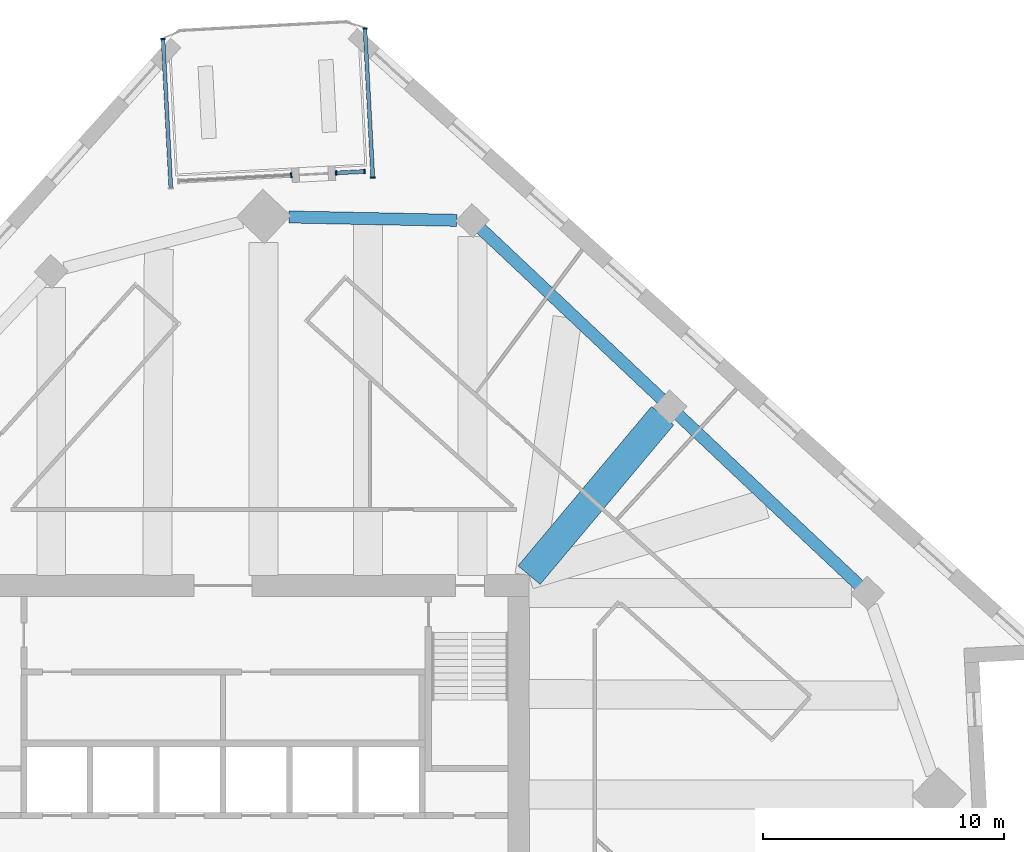
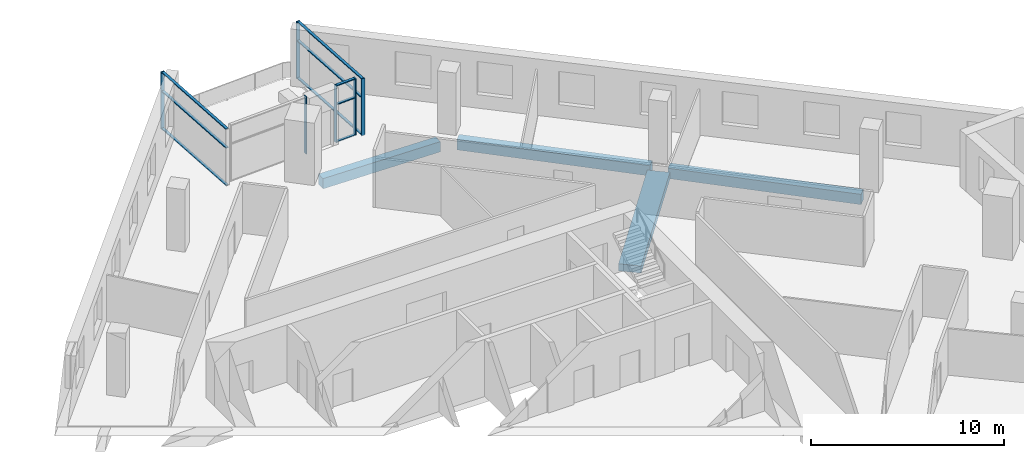
# One storey, part 4 of 12: 15 members, 4 beams, 4 elements without a shape of their own.
"""IFC4 building model written with IfcOpenShell, lengths in metres."""

from ifc_helpers import new_model, si_unit, direction, frame, origin, origin_2d, place, context, subcontext, project, spatial, rectangle, extrude, material, material_profile, profile_set, type_object, element, aggregate, save


model = new_model("IFC4")

# Units and contexts
model_context = context("Model", 3, precision=1e-05, world=origin(), true_north=direction((0.0, 1.0)))
body_context = subcontext(model_context, "Body", "Model", "MODEL_VIEW")
ifc_project = project(units=[si_unit("LENGTHUNIT", "METRE"), si_unit("AREAUNIT", "SQUARE_METRE"), si_unit("VOLUMEUNIT", "CUBIC_METRE"), si_unit("PLANEANGLEUNIT", "RADIAN"), si_unit("MASSUNIT", "GRAM", prefix="KILO")], contexts=[model_context])

# Site, building, storey
site_placement = place(None, origin())
site = spatial("IfcSite", under=ifc_project, at=site_placement, CompositionType="ELEMENT")
building_placement = place(site_placement, origin())
building = spatial("IfcBuilding", under=site, at=building_placement, Name="Dilmun Exchange Tower", CompositionType="ELEMENT")
storey_placement = place(building_placement, frame((0.0, 0.0, 221.300048828125)))
storey = spatial("IfcBuildingStorey", under=building, at=storey_placement, Name="L52", CompositionType="ELEMENT", Elevation=221.300048828125)

# Curtain wall, members
ifc_material_1 = material(Name="Anodised aluminium and clear glass", Category="aluminium")
curtain_wall_type = type_object("IfcCurtainWallType", Name="Garden corner glazing", PredefinedType="NOTDEFINED", material=ifc_material_1)
curtain_wall_1_placement = place(storey_placement, origin())
curtain_wall_1 = element("IfcCurtainWall", 1, at=curtain_wall_1_placement, inside=storey, type_object=curtain_wall_type, Name="Garden corner glazing run GC1.1", PredefinedType="NOTDEFINED")
ifc_material_2 = material(Name="Anodised aluminium", Category="aluminium")
ifc_material_profile_1 = material_profile(ifc_material_2, rectangle(XDim=0.199951171875, YDim=0.06005859375, at=origin_2d()), Name="AL 60x200")
ifc_profile_set_1 = profile_set([ifc_material_profile_1], Name="Anodised aluminium")
member_type_1 = type_object("IfcMemberType", Name="Garden corner glazing mullion 60 x 200", PredefinedType="MULLION", material=ifc_profile_set_1)
member_1_placement = place(storey_placement, frame((5.8837890625, 35.328125, 0.0), z_axis=(0.0, 0.0, 1.0), x_axis=(0.99862965596, 0.052333643452, 0.0)))
member_1 = element("IfcMember", 2, at=member_1_placement, type_object=member_type_1, Name="GC1.1 mullion 1", PredefinedType="MULLION", context=body_context, shape_type="SweptSolid", body=[
    extrude(rectangle(XDim=0.199951171875, YDim=0.06005859375, at=origin_2d()), origin(), (0.0, 0.0, 1.0), 3.619873046875),
])
member_2_placement = place(storey_placement, frame((6.20751953125, 29.150146484375, 0.0), z_axis=(0.0, 0.0, 1.0), x_axis=(0.99862965596, 0.052333643452, 0.0)))
member_2 = element("IfcMember", 3, at=member_2_placement, type_object=member_type_1, Name="GC1.1 mullion 2", PredefinedType="MULLION", context=body_context, shape_type="SweptSolid", body=[
    extrude(rectangle(XDim=0.199951171875, YDim=0.06005859375, at=origin_2d()), origin(), (0.0, 0.0, 1.0), 3.619873046875),
])

curtain_wall_2_placement = place(storey_placement, origin())
curtain_wall_2 = element("IfcCurtainWall", 4, at=curtain_wall_2_placement, inside=storey, type_object=curtain_wall_type, Name="Garden corner glazing run GC2.1", PredefinedType="NOTDEFINED")
member_3_placement = place(storey_placement, frame((5.86376953125, 29.402587890625, 0.0), z_axis=(0.0, 0.0, 1.0), x_axis=(0.052376691608, -0.998627399071, 0.0)))
member_3 = element("IfcMember", 5, at=member_3_placement, type_object=member_type_1, Name="GC2.1 mullion 1", PredefinedType="MULLION", context=body_context, shape_type="SweptSolid", body=[
    extrude(rectangle(XDim=0.199951171875, YDim=0.06005859375, at=origin_2d()), origin(), (0.0, 0.0, 1.0), 3.619873046875),
])
member_4_placement = place(storey_placement, frame((4.686279296875, 29.3408203125, 0.0), z_axis=(0.0, 0.0, 1.0), x_axis=(0.052376691608, -0.998627399071, 0.0)))
member_4 = element("IfcMember", 6, at=member_4_placement, type_object=member_type_1, Name="GC2.1 mullion 2", PredefinedType="MULLION", context=body_context, shape_type="SweptSolid", body=[
    extrude(rectangle(XDim=0.199951171875, YDim=0.06005859375, at=origin_2d()), origin(), (0.0, 0.0, 1.0), 3.619873046875),
])

# Curtain wall, member
curtain_wall_3_placement = place(storey_placement, origin())
curtain_wall_3 = element("IfcCurtainWall", 7, at=curtain_wall_3_placement, inside=storey, type_object=curtain_wall_type, Name="Garden corner glazing run GC2.3", PredefinedType="NOTDEFINED")
member_5_placement = place(storey_placement, frame((2.828857421875, 29.243408203125, 0.0), z_axis=(0.0, 0.0, 1.0), x_axis=(0.052330683595, -0.998629811068, 0.0)))
member_5 = element("IfcMember", 8, at=member_5_placement, type_object=member_type_1, Name="GC2.3 mullion 1", PredefinedType="MULLION", context=body_context, shape_type="SweptSolid", body=[
    extrude(rectangle(XDim=0.199951171875, YDim=0.06005859375, at=origin_2d()), origin(), (0.0, 0.0, 1.0), 3.619873046875),
])
aggregate(curtain_wall_3, [member_5])

curtain_wall_4_placement = place(storey_placement, origin())
curtain_wall_4 = element("IfcCurtainWall", 9, at=curtain_wall_4_placement, inside=storey, type_object=curtain_wall_type, Name="Garden corner glazing run GC3.1", PredefinedType="NOTDEFINED")
member_6_placement = place(storey_placement, frame((-2.48291015625, 34.8896484375, 0.0), z_axis=(0.0, 0.0, 1.0), x_axis=(-0.99862965596, -0.052333643452, 0.0)))
member_6 = element("IfcMember", 10, at=member_6_placement, type_object=member_type_1, Name="GC3.1 mullion 2", PredefinedType="MULLION", context=body_context, shape_type="SweptSolid", body=[
    extrude(rectangle(XDim=0.199951171875, YDim=0.06005859375, at=origin_2d()), origin(), (0.0, 0.0, 1.0), 3.619873046875),
])

# Member
ifc_material_profile_2 = material_profile(ifc_material_2, rectangle(XDim=0.159912109375, YDim=0.06005859375, at=origin_2d()), Name="AL 60x160")
ifc_profile_set_2 = profile_set([ifc_material_profile_2], Name="Anodised aluminium")
member_type_2 = type_object("IfcMemberType", Name="Garden corner glazing transom 60 x 160", PredefinedType="USERDEFINED", material=ifc_profile_set_2)
member_7_placement = place(storey_placement, frame((5.88525390625, 35.298095703125, 0.030029296875), z_axis=(0.05236431045, -0.99862804837, 0.0), x_axis=(0.99862804837, 0.05236431045, 0.0)))
member_7 = element("IfcMember", 11, at=member_7_placement, type_object=member_type_2, Name="GC1.1 transom 1.1", ObjectType="TRANSOM", PredefinedType="USERDEFINED", context=body_context, shape_type="SweptSolid", body=[
    extrude(rectangle(XDim=0.159912109375, YDim=0.06005859375, at=origin_2d()), origin(), (0.0, 0.0, 1.0), 6.126220703125),
])

member_8_placement = place(storey_placement, frame((5.88525390625, 35.298095703125, 2.39990234375), z_axis=(0.05236431045, -0.99862804837, 0.0), x_axis=(0.99862804837, 0.05236431045, 0.0)))
member_8 = element("IfcMember", 12, at=member_8_placement, type_object=member_type_2, Name="GC1.1 transom 1.2", ObjectType="TRANSOM", PredefinedType="USERDEFINED", context=body_context, shape_type="SweptSolid", body=[
    extrude(rectangle(XDim=0.159912109375, YDim=0.06005859375, at=origin_2d()), origin(), (0.0, 0.0, 1.0), 6.126220703125),
])

member_9_placement = place(storey_placement, frame((5.88525390625, 35.298095703125, 3.58984375), z_axis=(0.05236431045, -0.99862804837, 0.0), x_axis=(0.99862804837, 0.05236431045, 0.0)))
member_9 = element("IfcMember", 13, at=member_9_placement, type_object=member_type_2, Name="GC1.1 transom 1.3", ObjectType="TRANSOM", PredefinedType="USERDEFINED", context=body_context, shape_type="SweptSolid", body=[
    extrude(rectangle(XDim=0.159912109375, YDim=0.06005859375, at=origin_2d()), origin(), (0.0, 0.0, 1.0), 6.126220703125),
])

aggregate(curtain_wall_1, [member_1, member_2, member_7, member_8, member_9])

member_10_placement = place(storey_placement, frame((5.833984375, 29.40087890625, 0.030029296875), z_axis=(-0.998628654631, -0.052352747294, 0.0), x_axis=(0.052352747294, -0.998628654631, 0.0)))
member_10 = element("IfcMember", 14, at=member_10_placement, type_object=member_type_2, Name="GC2.1 transom 1.1", ObjectType="TRANSOM", PredefinedType="USERDEFINED", context=body_context, shape_type="SweptSolid", body=[
    extrude(rectangle(XDim=0.159912109375, YDim=0.06005859375, at=origin_2d()), origin(), (0.0, 0.0, 1.0), 1.119140625),
])

member_11_placement = place(storey_placement, frame((5.833984375, 29.40087890625, 2.39990234375), z_axis=(-0.998628654631, -0.052352747294, 0.0), x_axis=(0.052352747294, -0.998628654631, 0.0)))
member_11 = element("IfcMember", 15, at=member_11_placement, type_object=member_type_2, Name="GC2.1 transom 1.2", ObjectType="TRANSOM", PredefinedType="USERDEFINED", context=body_context, shape_type="SweptSolid", body=[
    extrude(rectangle(XDim=0.159912109375, YDim=0.06005859375, at=origin_2d()), origin(), (0.0, 0.0, 1.0), 1.119140625),
])

member_12_placement = place(storey_placement, frame((5.833984375, 29.40087890625, 3.58984375), z_axis=(-0.998628654631, -0.052352747294, 0.0), x_axis=(0.052352747294, -0.998628654631, 0.0)))
member_12 = element("IfcMember", 16, at=member_12_placement, type_object=member_type_2, Name="GC2.1 transom 1.3", ObjectType="TRANSOM", PredefinedType="USERDEFINED", context=body_context, shape_type="SweptSolid", body=[
    extrude(rectangle(XDim=0.159912109375, YDim=0.06005859375, at=origin_2d()), origin(), (0.0, 0.0, 1.0), 1.119140625),
])

aggregate(curtain_wall_2, [member_3, member_4, member_10, member_11, member_12])

member_13_placement = place(storey_placement, frame((-2.16064453125, 28.74169921875, 0.030029296875), z_axis=(-0.05236431045, 0.99862804837, 0.0), x_axis=(-0.99862804837, -0.05236431045, 0.0)))
member_13 = element("IfcMember", 17, at=member_13_placement, type_object=member_type_2, Name="GC3.1 transom 1.1", ObjectType="TRANSOM", PredefinedType="USERDEFINED", context=body_context, shape_type="SweptSolid", body=[
    extrude(rectangle(XDim=0.159912109375, YDim=0.06005859375, at=origin_2d()), origin(), (0.0, 0.0, 1.0), 6.126220703125),
])

member_14_placement = place(storey_placement, frame((-2.16064453125, 28.74169921875, 2.39990234375), z_axis=(-0.05236431045, 0.99862804837, 0.0), x_axis=(-0.99862804837, -0.05236431045, 0.0)))
member_14 = element("IfcMember", 18, at=member_14_placement, type_object=member_type_2, Name="GC3.1 transom 1.2", ObjectType="TRANSOM", PredefinedType="USERDEFINED", context=body_context, shape_type="SweptSolid", body=[
    extrude(rectangle(XDim=0.159912109375, YDim=0.06005859375, at=origin_2d()), origin(), (0.0, 0.0, 1.0), 6.126220703125),
])

member_15_placement = place(storey_placement, frame((-2.16064453125, 28.74169921875, 3.58984375), z_axis=(-0.05236431045, 0.99862804837, 0.0), x_axis=(-0.99862804837, -0.05236431045, 0.0)))
member_15 = element("IfcMember", 19, at=member_15_placement, type_object=member_type_2, Name="GC3.1 transom 1.3", ObjectType="TRANSOM", PredefinedType="USERDEFINED", context=body_context, shape_type="SweptSolid", body=[
    extrude(rectangle(XDim=0.159912109375, YDim=0.06005859375, at=origin_2d()), origin(), (0.0, 0.0, 1.0), 6.126220703125),
])

aggregate(curtain_wall_4, [member_6, member_13, member_14, member_15])

# Beams
ifc_material_3 = material(Name="Concrete C40/50", Category="concrete")
ifc_material_profile_3 = material_profile(ifc_material_3, rectangle(XDim=1.199951171875, YDim=0.449951171875, at=origin_2d()), Name="1200 x 450")
ifc_profile_set_3 = profile_set([ifc_material_profile_3], Name="Concrete C40/50")
beam_type_1 = type_object("IfcBeamType", Name="RC band beam 1200 x 450 C40/50", PredefinedType="BEAM", material=ifc_profile_set_3)
beam_1_placement = place(storey_placement, frame((18.2158203125, 19.28369140625, -0.705078125), z_axis=(-0.642200063897, -0.766537068856, 0.0), x_axis=(0.766537068856, -0.642200063897, 0.0)))
element("IfcBeam", 20, at=beam_1_placement, inside=storey, type_object=beam_type_1, Name="Band beam 15", PredefinedType="BEAM", context=body_context, shape_type="SweptSolid", body=[
    extrude(rectangle(XDim=1.199951171875, YDim=0.449951171875, at=origin_2d()), origin(), (0.0, 0.0, 1.0), 8.615966796875),
])
ifc_material_profile_4 = material_profile(ifc_material_3, rectangle(XDim=0.5, YDim=0.64990234375, at=origin_2d()), Name="500 x 650")
ifc_profile_set_4 = profile_set([ifc_material_profile_4], Name="Concrete C40/50")
beam_type_2 = type_object("IfcBeamType", Name="RC ring beam 500 x 650 C40/50", PredefinedType="SPANDREL", material=ifc_profile_set_4)
beam_2_placement = place(storey_placement, frame((26.36181640625, 12.25537109375, -0.705078125), z_axis=(-0.727685706374, 0.68591071776, 0.0), x_axis=(-0.68591071776, -0.727685706374, 0.0)))
element("IfcBeam", 21, at=beam_2_placement, inside=storey, type_object=beam_type_2, Name="Ring beam 14", PredefinedType="SPANDREL", context=body_context, shape_type="SweptSolid", body=[
    extrude(rectangle(XDim=0.5, YDim=0.64990234375, at=origin_2d()), origin(), (0.0, 0.0, 1.0), 10.30322265625),
])
beam_3_placement = place(storey_placement, frame((18.17578125, 19.971435546875, -0.705078125), z_axis=(-0.727682990869, 0.685913598641, 0.0), x_axis=(-0.685913598641, -0.727682990869, 0.0)))
element("IfcBeam", 22, at=beam_3_placement, inside=storey, type_object=beam_type_2, Name="Ring beam 15", PredefinedType="SPANDREL", context=body_context, shape_type="SweptSolid", body=[
    extrude(rectangle(XDim=0.5, YDim=0.64990234375, at=origin_2d()), origin(), (0.0, 0.0, 1.0), 10.3046875),
])
beam_4_placement = place(storey_placement, frame((9.685791015625, 27.376953125, -0.705078125), z_axis=(-0.999797424966, 0.020127320539, 0.0), x_axis=(-0.020127320539, -0.999797424966, 0.0)))
element("IfcBeam", 23, at=beam_4_placement, inside=storey, type_object=beam_type_2, Name="Ring beam 16", PredefinedType="SPANDREL", context=body_context, shape_type="SweptSolid", body=[
    extrude(rectangle(XDim=0.5, YDim=0.64990234375, at=origin_2d()), origin(), (0.0, 0.0, 1.0), 6.950439453125),
])

save(model, "model.ifc")
